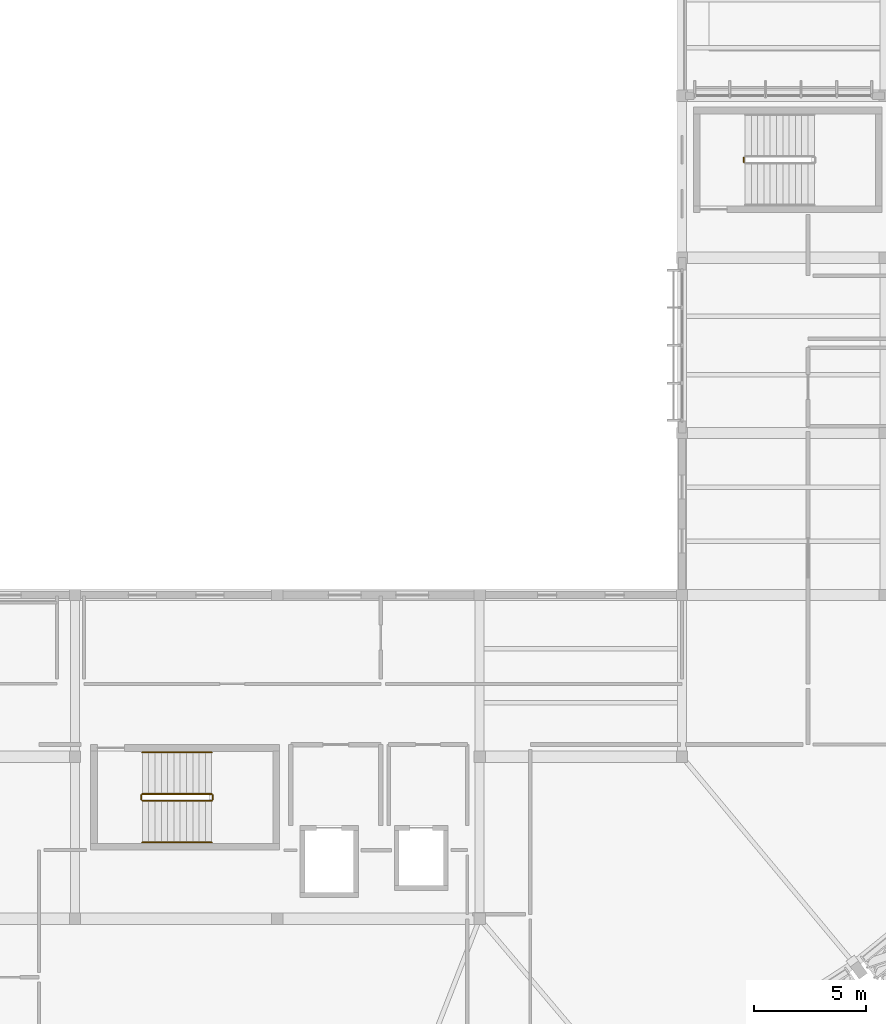
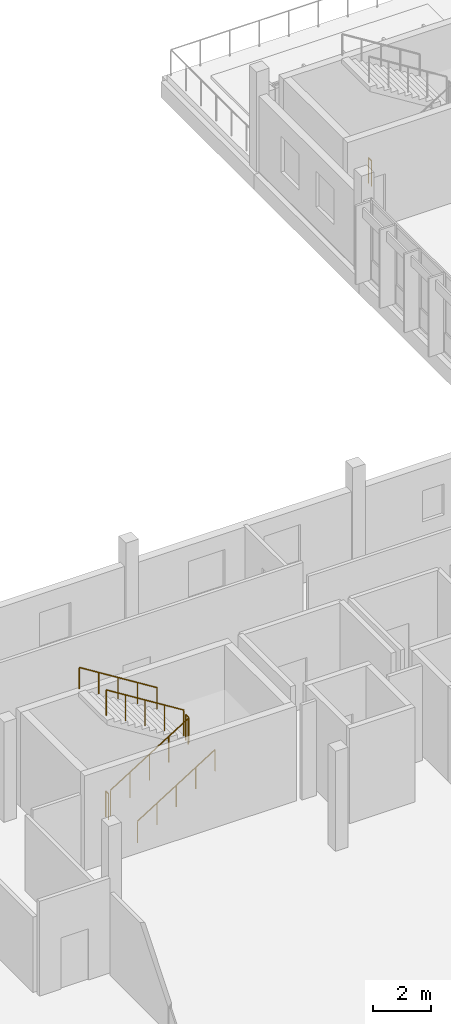
# One storey, part 23 of 24: 7 railings.
"""IFC4 building model written with IfcOpenShell, lengths in metres."""

from ifc_helpers import new_model, si_unit, direction, frame, origin, origin_2d, place, context, subcontext, project, spatial, circle, extrude, material, layer, layer_set, type_object, element, save


model = new_model("IFC4")

# Units and contexts
model_context = context("Model", 3, precision=1e-05, world=origin(), true_north=direction((0.0, 1.0)))
body_context = subcontext(model_context, "Body", "Model", "MODEL_VIEW")
ifc_project = project(units=[si_unit("LENGTHUNIT", "METRE"), si_unit("AREAUNIT", "SQUARE_METRE"), si_unit("VOLUMEUNIT", "CUBIC_METRE"), si_unit("PLANEANGLEUNIT", "RADIAN"), si_unit("MASSUNIT", "GRAM", prefix="KILO")], contexts=[model_context])

# Site, building, storey
site_placement = place(None, origin())
site = spatial("IfcSite", under=ifc_project, at=site_placement, CompositionType="ELEMENT")
building_placement = place(site_placement, origin())
building = spatial("IfcBuilding", under=site, at=building_placement, Name="Chiffa Square Polytechnic", CompositionType="ELEMENT")
storey_placement = place(building_placement, frame((0.0, 0.0, 22.199951171875)))
storey = spatial("IfcBuildingStorey", under=building, at=storey_placement, Name="L05", CompositionType="ELEMENT", Elevation=22.199951171875)

# Railings
ifc_material = material(Name="Steel S355", Category="steel")
ifc_layer_1 = layer(ifc_material, 0.050048828125, Name="Steel S355")
ifc_layer_set_1 = layer_set([ifc_layer_1], Name="Steel S355")
railing_type_1 = type_object("IfcRailingType", Name="RL-STAIR-GUARD", PredefinedType="GUARDRAIL", material=ifc_layer_set_1)
railing_1_placement = place(storey_placement, frame((124.199951171875, 19.64990234375, 0.175048828125)))
element("IfcRailing", 1, at=railing_1_placement, inside=storey, type_object=railing_type_1, Name="L05 ST-V1A stair guard 1", PredefinedType="GUARDRAIL", context=body_context, shape_type="SweptSolid", body=[
    extrude(circle(Radius=0.02392578125, at=origin_2d()), frame((0.0, 0.0, 1.076171875), z_axis=(0.847998304005, 0.0, 0.529998940003), x_axis=(0.0, 1.0, 0.0)), (0.0, 0.0, 1.0), 3.632080078125),
    extrude(circle(Radius=0.02099609375, at=origin_2d()), origin(), (0.0, 0.0, 1.0), 1.052001953125),
    extrude(circle(Radius=0.02099609375, at=origin_2d()), frame((0.77001953125, 0.0, 0.481201171875)), (0.0, 0.0, 1.0), 1.052001953125),
    extrude(circle(Radius=0.02099609375, at=origin_2d()), frame((1.5400390625, 0.0, 0.96240234375)), (0.0, 0.0, 1.0), 1.052001953125),
    extrude(circle(Radius=0.02099609375, at=origin_2d()), frame((2.31005859375, 0.0, 1.44384765625)), (0.0, 0.0, 1.0), 1.052001953125),
    extrude(circle(Radius=0.02099609375, at=origin_2d()), frame((3.080078125, 0.0, 1.925048828125)), (0.0, 0.0, 1.0), 1.052001953125),
])
railing_2_placement = place(storey_placement, frame((127.330078125, 19.699951171875, 2.10009765625)))
element("IfcRailing", 2, at=railing_2_placement, inside=storey, type_object=railing_type_1, Name="L05 ST-V1A stair guard 2", PredefinedType="GUARDRAIL", context=body_context, shape_type="SweptSolid", body=[
    extrude(circle(Radius=0.02392578125, at=origin_2d()), frame((0.0, 0.0, 1.076171875), z_axis=(0.0, 1.0, 0.0), x_axis=(-1.0, 0.0, 0.0)), (0.0, 0.0, 1.0), 0.199951171875),
    extrude(circle(Radius=0.02099609375, at=origin_2d()), origin(), (0.0, 0.0, 1.0), 1.052001953125),
    extrude(circle(Radius=0.02099609375, at=origin_2d()), frame((0.0, 0.199951171875, 0.0)), (0.0, 0.0, 1.0), 1.052001953125),
])
railing_3_placement = place(storey_placement, frame((127.280029296875, 19.949951171875, 2.275146484375)))
element("IfcRailing", 3, at=railing_3_placement, inside=storey, type_object=railing_type_1, Name="L05 ST-V1A stair guard 3", PredefinedType="GUARDRAIL", context=body_context, shape_type="SweptSolid", body=[
    extrude(circle(Radius=0.02392578125, at=origin_2d()), frame((0.0, 0.0, 1.076171875), z_axis=(-0.848028513186, 0.0, 0.529950602248), x_axis=(0.0, -1.0, 0.0)), (0.0, 0.0, 1.0), 3.632080078125),
    extrude(circle(Radius=0.02099609375, at=origin_2d()), origin(), (0.0, 0.0, 1.0), 1.052001953125),
    extrude(circle(Radius=0.02099609375, at=origin_2d()), frame((-0.77001953125, 0.0, 0.481201171875)), (0.0, 0.0, 1.0), 1.052001953125),
    extrude(circle(Radius=0.02099609375, at=origin_2d()), frame((-1.5400390625, 0.0, 0.96240234375)), (0.0, 0.0, 1.0), 1.052001953125),
    extrude(circle(Radius=0.02099609375, at=origin_2d()), frame((-2.31005859375, 0.0, 1.443603515625)), (0.0, 0.0, 1.0), 1.052001953125),
    extrude(circle(Radius=0.02099609375, at=origin_2d()), frame((-3.080078125, 0.0, 1.9248046875)), (0.0, 0.0, 1.0), 1.052001953125),
])
for number, where, name in (
    (4, (124.14990234375, 19.699951171875, 0.0), "L05 ST-V1A stair guard 4"),
    (5, (150.949951171875, 48.050048828125, 0.0), "L05 ST-V1B stair guard 4"),
):
    element("IfcRailing", number, at=place(storey_placement, frame(where)), inside=storey, type_object=railing_type_1, Name=name, PredefinedType="GUARDRAIL", context=body_context, shape_type="SweptSolid", body=[
        extrude(circle(Radius=0.02392578125, at=origin_2d()), frame((0.0, 0.0, 1.076171875), z_axis=(0.0, 1.0, 0.0), x_axis=(-1.0, 0.0, 0.0)), (0.0, 0.0, 1.0), 0.199951171875),
        extrude(circle(Radius=0.02099609375, at=origin_2d()), origin(), (0.0, 0.0, 1.0), 1.052001953125),
        extrude(circle(Radius=0.02099609375, at=origin_2d()), frame((0.0, 0.199951171875, 0.0)), (0.0, 0.0, 1.0), 1.052001953125),
    ])
ifc_layer_2 = layer(ifc_material, 0.044921875, Name="Steel S355")
ifc_layer_set_2 = layer_set([ifc_layer_2], Name="Steel S355")
railing_type_2 = type_object("IfcRailingType", Name="RL-STAIR-HAND", PredefinedType="HANDRAIL", material=ifc_layer_set_2)
railing_4_placement = place(storey_placement, frame((124.199951171875, 17.800048828125, 0.175048828125)))
element("IfcRailing", 6, at=railing_4_placement, inside=storey, type_object=railing_type_2, Name="L05 ST-V1A stair handrail 1", PredefinedType="HANDRAIL", context=body_context, shape_type="SweptSolid", body=[
    extrude(circle(Radius=0.02392578125, at=origin_2d()), frame((0.0, 0.0, 0.89599609375), z_axis=(0.847998304005, 0.0, 0.529998940003), x_axis=(0.0, 1.0, 0.0)), (0.0, 0.0, 1.0), 3.632080078125),
    extrude(circle(Radius=0.02099609375, at=origin_2d()), origin(), (0.0, 0.0, 1.0), 0.871826171875),
    extrude(circle(Radius=0.02099609375, at=origin_2d()), frame((0.77001953125, 0.0, 0.481201171875)), (0.0, 0.0, 1.0), 0.871826171875),
    extrude(circle(Radius=0.02099609375, at=origin_2d()), frame((1.5400390625, 0.0, 0.96240234375)), (0.0, 0.0, 1.0), 0.871826171875),
    extrude(circle(Radius=0.02099609375, at=origin_2d()), frame((2.31005859375, 0.0, 1.44384765625)), (0.0, 0.0, 1.0), 0.871826171875),
    extrude(circle(Radius=0.02099609375, at=origin_2d()), frame((3.080078125, 0.0, 1.925048828125)), (0.0, 0.0, 1.0), 0.871826171875),
])
railing_5_placement = place(storey_placement, frame((127.280029296875, 21.800048828125, 2.275146484375)))
element("IfcRailing", 7, at=railing_5_placement, inside=storey, type_object=railing_type_2, Name="L05 ST-V1A stair handrail 2", PredefinedType="HANDRAIL", context=body_context, shape_type="SweptSolid", body=[
    extrude(circle(Radius=0.02392578125, at=origin_2d()), frame((0.0, 0.0, 0.89599609375), z_axis=(-0.848028513186, 0.0, 0.529950602248), x_axis=(0.0, -1.0, 0.0)), (0.0, 0.0, 1.0), 3.632080078125),
    extrude(circle(Radius=0.02099609375, at=origin_2d()), origin(), (0.0, 0.0, 1.0), 0.871826171875),
    extrude(circle(Radius=0.02099609375, at=origin_2d()), frame((-0.77001953125, 0.0, 0.481201171875)), (0.0, 0.0, 1.0), 0.871826171875),
    extrude(circle(Radius=0.02099609375, at=origin_2d()), frame((-1.5400390625, 0.0, 0.96240234375)), (0.0, 0.0, 1.0), 0.871826171875),
    extrude(circle(Radius=0.02099609375, at=origin_2d()), frame((-2.31005859375, 0.0, 1.443603515625)), (0.0, 0.0, 1.0), 0.871826171875),
    extrude(circle(Radius=0.02099609375, at=origin_2d()), frame((-3.080078125, 0.0, 1.9248046875)), (0.0, 0.0, 1.0), 0.871826171875),
])

save(model, "model.ifc")
